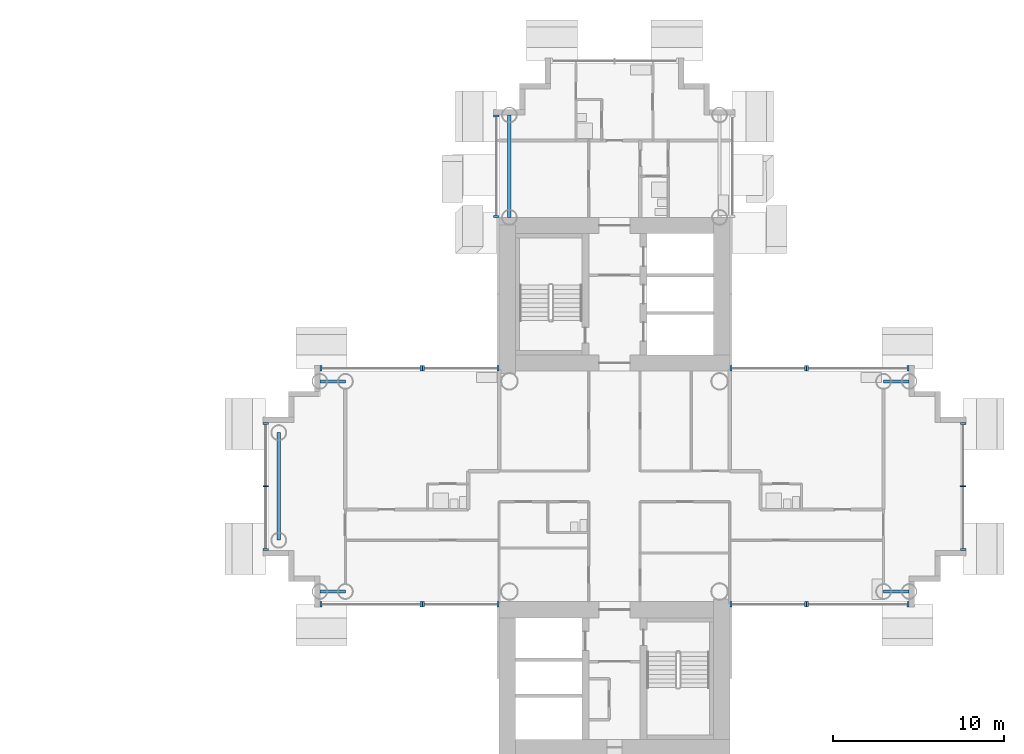
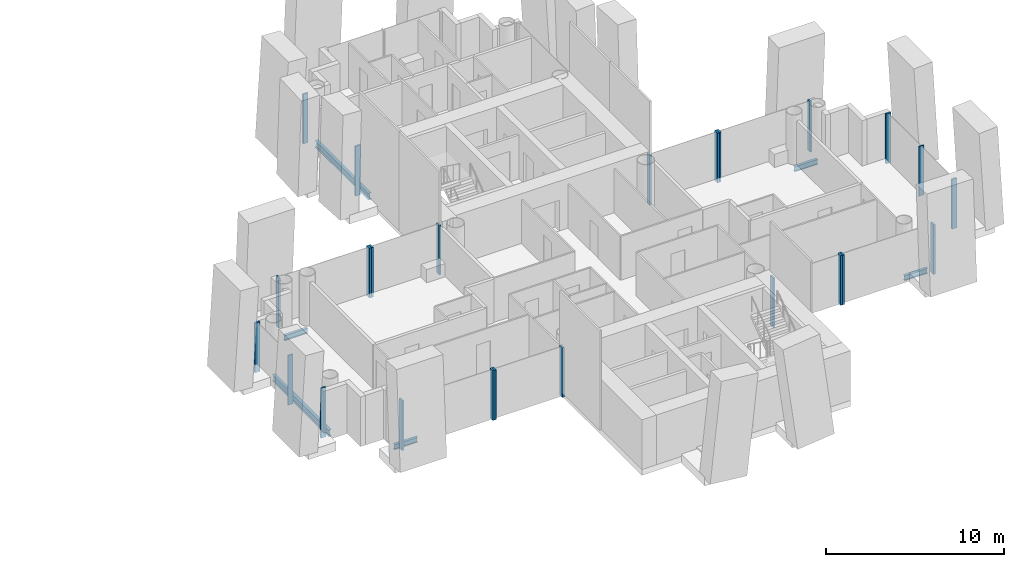
# One storey, part 5 of 21: 24 members, 6 beams, 11 elements without a shape of their own.
"""IFC4 building model written with IfcOpenShell, lengths in metres."""

from ifc_helpers import new_model, si_unit, direction, frame, origin, origin_2d, place, context, subcontext, project, spatial, rectangle, i_section, extrude, material, layer, layer_set, material_profile, profile_set, type_object, element, aggregate, save


model = new_model("IFC4")

# Units and contexts
model_context = context("Model", 3, precision=1e-05, world=origin(), true_north=direction((0.0, 1.0)))
body_context = subcontext(model_context, "Body", "Model", "MODEL_VIEW")
ifc_project = project(units=[si_unit("LENGTHUNIT", "METRE"), si_unit("AREAUNIT", "SQUARE_METRE"), si_unit("VOLUMEUNIT", "CUBIC_METRE"), si_unit("PLANEANGLEUNIT", "RADIAN"), si_unit("MASSUNIT", "GRAM", prefix="KILO")], contexts=[model_context])

# Site, building, storey
site_placement = place(None, origin())
site = spatial("IfcSite", under=ifc_project, at=site_placement, CompositionType="ELEMENT")
building_placement = place(site_placement, origin())
building = spatial("IfcBuilding", under=site, at=building_placement, Name="Ipe Terrace Towers", CompositionType="ELEMENT")
storey_placement = place(building_placement, frame((0.0, 0.0, 80.0)))
storey = spatial("IfcBuildingStorey", under=building, at=storey_placement, Name="L21", CompositionType="ELEMENT", Elevation=80.0)

# Beams
ifc_material_1 = material(Name="Steel S355", Category="steel")
ifc_material_profile_1 = material_profile(ifc_material_1, i_section(OverallWidth=0.175048828125, OverallDepth=0.35009765625, WebThickness=0.007080078125, FlangeThickness=0.010986328125, at=origin_2d()), Name="H-350x175x7x11")
ifc_profile_set_1 = profile_set([ifc_material_profile_1], Name="Steel S355")
beam_type_1 = type_object("IfcBeamType", Name="H04 EDGE BEAM H-350x175x7x11", PredefinedType="BEAM", material=ifc_profile_set_1)
for number, where, z_axis, x_axis, name in (
    (1, (20.25, 6.14990234375, -0.574951171875), (-1.0, 0.0, 0.0), (0.0, -1.0, 0.0), "Edge beam T2-EB-B03-B05"),
    (2, (20.25, -6.14990234375, -0.574951171875), (-1.0, 0.0, 0.0), (0.0, -1.0, 0.0), "Edge beam T2-EB-B04-B06"),
    (3, (51.75, -6.14990234375, -0.574951171875), (1.0, 0.0, 0.0), (0.0, 1.0, 0.0), "Edge beam T2-EB-D03-D05"),
    (4, (51.75, 6.14990234375, -0.574951171875), (1.0, 0.0, 0.0), (0.0, 1.0, 0.0), "Edge beam T2-EB-D04-D06"),
):
    element("IfcBeam", number, at=place(storey_placement, frame(where, z_axis=z_axis, x_axis=x_axis)), inside=storey, type_object=beam_type_1, Name=name, PredefinedType="BEAM", context=body_context, shape_type="SweptSolid", body=[
        extrude(i_section(OverallWidth=0.175048828125, OverallDepth=0.35009765625, WebThickness=0.007080078125, FlangeThickness=0.010986328125, at=origin_2d()), origin(), (0.0, 0.0, 1.0), 1.5),
    ])
ifc_material_2 = material(Name="Steel S355", Category="steel")
ifc_material_profile_2 = material_profile(ifc_material_2, i_section(OverallWidth=0.199951171875, OverallDepth=0.449951171875, WebThickness=0.009033203125, FlangeThickness=0.013916015625, at=origin_2d()), Name="H-450x200x9x14")
ifc_profile_set_2 = profile_set([ifc_material_profile_2], Name="Steel S355")
beam_type_2 = type_object("IfcBeamType", Name="H08 EDGE BEAM H-450x200x9x14", PredefinedType="BEAM", material=ifc_profile_set_2)
beam_1_placement = place(storey_placement, frame((29.85009765625, 15.75, -0.625), z_axis=(0.0, 1.0, 0.0), x_axis=(-1.0, 0.0, 0.0)))
element("IfcBeam", 5, at=beam_1_placement, inside=storey, type_object=beam_type_2, Name="Edge beam T2-EB-A02-A04", PredefinedType="BEAM", context=body_context, shape_type="SweptSolid", body=[
    extrude(i_section(OverallWidth=0.199951171875, OverallDepth=0.449951171875, WebThickness=0.009033203125, FlangeThickness=0.013916015625, at=origin_2d()), origin(), (0.0, 0.0, 1.0), 6.0),
])
beam_2_placement = place(storey_placement, frame((16.35009765625, 3.14990234375, -0.625), z_axis=(0.0, -1.0, 0.0), x_axis=(1.0, 0.0, 0.0)))
element("IfcBeam", 6, at=beam_2_placement, inside=storey, type_object=beam_type_2, Name="Edge beam T2-EB-B07-B08", PredefinedType="BEAM", context=body_context, shape_type="SweptSolid", body=[
    extrude(i_section(OverallWidth=0.199951171875, OverallDepth=0.449951171875, WebThickness=0.009033203125, FlangeThickness=0.013916015625, at=origin_2d()), origin(), (0.0, 0.0, 1.0), 6.2998046875),
])

# Curtain wall, members
ifc_material_3 = material(Name="Aluminium alloy 6063-T6", Category="aluminium")
ifc_layer = layer(ifc_material_3, 0.320068359375)
ifc_layer_set = layer_set([ifc_layer], Name="TOWER UNITISED CURTAIN WALL")
curtain_wall_type = type_object("IfcCurtainWallType", Name="TOWER UNITISED CURTAIN WALL", PredefinedType="NOTDEFINED", material=ifc_layer_set)
curtain_wall_1_placement = place(storey_placement, origin())
curtain_wall_1 = element("IfcCurtainWall", 7, at=curtain_wall_1_placement, inside=storey, type_object=curtain_wall_type, Name="T2-CW-L21-02a curtain wall", PredefinedType="NOTDEFINED")
ifc_material_4 = material(Name="Aluminium alloy 6063-T6", Category="aluminium")
ifc_material_profile_3 = material_profile(ifc_material_4, rectangle(XDim=0.320068359375, YDim=0.1201171875, at=origin_2d()), Name="TOWER UNITISED CORNER MULLION 320 x 120")
ifc_profile_set_3 = profile_set([ifc_material_profile_3], Name="Aluminium alloy 6063-T6")
member_type_1 = type_object("IfcMemberType", Name="TOWER UNITISED CORNER MULLION 320 x 120", PredefinedType="MULLION", material=ifc_profile_set_3)
member_1_placement = place(storey_placement, frame((42.81005859375, -6.909912109375, -0.300048828125), z_axis=(0.0, 0.0, 1.0), x_axis=(0.0, -1.0, 0.0)))
member_1 = element("IfcMember", 8, at=member_1_placement, type_object=member_type_1, Name="T2-CW-L21-02a mullion 1", PredefinedType="MULLION", context=body_context, shape_type="SweptSolid", body=[
    extrude(rectangle(XDim=0.320068359375, YDim=0.1201171875, at=origin_2d()), origin(), (0.0, 0.0, 1.0), 3.400146484375),
])
member_2_placement = place(storey_placement, frame((47.18994140625, -6.909912109375, -0.300048828125), z_axis=(0.0, 0.0, 1.0), x_axis=(0.0, -1.0, 0.0)))
member_2 = element("IfcMember", 9, at=member_2_placement, type_object=member_type_1, Name="T2-CW-L21-02a mullion 2", PredefinedType="MULLION", context=body_context, shape_type="SweptSolid", body=[
    extrude(rectangle(XDim=0.320068359375, YDim=0.1201171875, at=origin_2d()), origin(), (0.0, 0.0, 1.0), 3.400146484375),
])
aggregate(curtain_wall_1, [member_1, member_2])

curtain_wall_2_placement = place(storey_placement, origin())
curtain_wall_2 = element("IfcCurtainWall", 10, at=curtain_wall_2_placement, inside=storey, type_object=curtain_wall_type, Name="T2-CW-L21-03a curtain wall", PredefinedType="NOTDEFINED")
member_3_placement = place(storey_placement, frame((47.31005859375, -6.909912109375, -0.300048828125), z_axis=(0.0, 0.0, 1.0), x_axis=(0.0, -1.0, 0.0)))
member_3 = element("IfcMember", 11, at=member_3_placement, type_object=member_type_1, Name="T2-CW-L21-03a mullion 1", PredefinedType="MULLION", context=body_context, shape_type="SweptSolid", body=[
    extrude(rectangle(XDim=0.320068359375, YDim=0.1201171875, at=origin_2d()), origin(), (0.0, 0.0, 1.0), 3.400146484375),
])
member_4_placement = place(storey_placement, frame((53.18994140625, -6.909912109375, -0.300048828125), z_axis=(0.0, 0.0, 1.0), x_axis=(0.0, -1.0, 0.0)))
member_4 = element("IfcMember", 12, at=member_4_placement, type_object=member_type_1, Name="T2-CW-L21-03a mullion 2", PredefinedType="MULLION", context=body_context, shape_type="SweptSolid", body=[
    extrude(rectangle(XDim=0.320068359375, YDim=0.1201171875, at=origin_2d()), origin(), (0.0, 0.0, 1.0), 3.400146484375),
])
aggregate(curtain_wall_2, [member_3, member_4])

curtain_wall_3_placement = place(storey_placement, origin())
curtain_wall_3 = element("IfcCurtainWall", 13, at=curtain_wall_3_placement, inside=storey, type_object=curtain_wall_type, Name="T2-CW-L21-08a curtain wall", PredefinedType="NOTDEFINED")
member_5_placement = place(storey_placement, frame((56.409912109375, -3.68994140625, -0.300048828125), z_axis=(0.0, 0.0, 1.0), x_axis=(1.0, 0.0, 0.0)))
member_5 = element("IfcMember", 14, at=member_5_placement, type_object=member_type_1, Name="T2-CW-L21-08a mullion 1", PredefinedType="MULLION", context=body_context, shape_type="SweptSolid", body=[
    extrude(rectangle(XDim=0.320068359375, YDim=0.1201171875, at=origin_2d()), origin(), (0.0, 0.0, 1.0), 3.400146484375),
])
member_6_placement = place(storey_placement, frame((56.409912109375, 3.68994140625, -0.300048828125), z_axis=(0.0, 0.0, 1.0), x_axis=(1.0, 0.0, 0.0)))
member_6 = element("IfcMember", 15, at=member_6_placement, type_object=member_type_1, Name="T2-CW-L21-08a mullion 3", PredefinedType="MULLION", context=body_context, shape_type="SweptSolid", body=[
    extrude(rectangle(XDim=0.320068359375, YDim=0.1201171875, at=origin_2d()), origin(), (0.0, 0.0, 1.0), 3.400146484375),
])

curtain_wall_4_placement = place(storey_placement, origin())
curtain_wall_4 = element("IfcCurtainWall", 16, at=curtain_wall_4_placement, inside=storey, type_object=curtain_wall_type, Name="T2-CW-L21-13a curtain wall", PredefinedType="NOTDEFINED")
member_7_placement = place(storey_placement, frame((53.18994140625, 6.909912109375, -0.300048828125), z_axis=(0.0, 0.0, 1.0), x_axis=(0.0, 1.0, 0.0)))
member_7 = element("IfcMember", 17, at=member_7_placement, type_object=member_type_1, Name="T2-CW-L21-13a mullion 1", PredefinedType="MULLION", context=body_context, shape_type="SweptSolid", body=[
    extrude(rectangle(XDim=0.320068359375, YDim=0.1201171875, at=origin_2d()), origin(), (0.0, 0.0, 1.0), 3.400146484375),
])
member_8_placement = place(storey_placement, frame((47.31005859375, 6.909912109375, -0.300048828125), z_axis=(0.0, 0.0, 1.0), x_axis=(0.0, 1.0, 0.0)))
member_8 = element("IfcMember", 18, at=member_8_placement, type_object=member_type_1, Name="T2-CW-L21-13a mullion 2", PredefinedType="MULLION", context=body_context, shape_type="SweptSolid", body=[
    extrude(rectangle(XDim=0.320068359375, YDim=0.1201171875, at=origin_2d()), origin(), (0.0, 0.0, 1.0), 3.400146484375),
])
aggregate(curtain_wall_4, [member_7, member_8])

curtain_wall_5_placement = place(storey_placement, origin())
curtain_wall_5 = element("IfcCurtainWall", 19, at=curtain_wall_5_placement, inside=storey, type_object=curtain_wall_type, Name="T2-CW-L21-14a curtain wall", PredefinedType="NOTDEFINED")
member_9_placement = place(storey_placement, frame((47.18994140625, 6.909912109375, -0.300048828125), z_axis=(0.0, 0.0, 1.0), x_axis=(0.0, 1.0, 0.0)))
member_9 = element("IfcMember", 20, at=member_9_placement, type_object=member_type_1, Name="T2-CW-L21-14a mullion 1", PredefinedType="MULLION", context=body_context, shape_type="SweptSolid", body=[
    extrude(rectangle(XDim=0.320068359375, YDim=0.1201171875, at=origin_2d()), origin(), (0.0, 0.0, 1.0), 3.400146484375),
])
member_10_placement = place(storey_placement, frame((42.81005859375, 6.909912109375, -0.300048828125), z_axis=(0.0, 0.0, 1.0), x_axis=(0.0, 1.0, 0.0)))
member_10 = element("IfcMember", 21, at=member_10_placement, type_object=member_type_1, Name="T2-CW-L21-14a mullion 2", PredefinedType="MULLION", context=body_context, shape_type="SweptSolid", body=[
    extrude(rectangle(XDim=0.320068359375, YDim=0.1201171875, at=origin_2d()), origin(), (0.0, 0.0, 1.0), 3.400146484375),
])
aggregate(curtain_wall_5, [member_9, member_10])

curtain_wall_6_placement = place(storey_placement, origin())
curtain_wall_6 = element("IfcCurtainWall", 22, at=curtain_wall_6_placement, inside=storey, type_object=curtain_wall_type, Name="T2-CW-L21-26a curtain wall", PredefinedType="NOTDEFINED")
member_11_placement = place(storey_placement, frame((29.090087890625, 21.68994140625, -0.300048828125), z_axis=(0.0, 0.0, 1.0), x_axis=(-1.0, 0.0, 0.0)))
member_11 = element("IfcMember", 23, at=member_11_placement, type_object=member_type_1, Name="T2-CW-L21-26a mullion 1", PredefinedType="MULLION", context=body_context, shape_type="SweptSolid", body=[
    extrude(rectangle(XDim=0.320068359375, YDim=0.1201171875, at=origin_2d()), origin(), (0.0, 0.0, 1.0), 3.400146484375),
])
member_12_placement = place(storey_placement, frame((29.090087890625, 15.81103515625, -0.300048828125), z_axis=(0.0, 0.0, 1.0), x_axis=(-1.0, 0.0, 0.0)))
member_12 = element("IfcMember", 24, at=member_12_placement, type_object=member_type_1, Name="T2-CW-L21-26a mullion 2", PredefinedType="MULLION", context=body_context, shape_type="SweptSolid", body=[
    extrude(rectangle(XDim=0.320068359375, YDim=0.1201171875, at=origin_2d()), origin(), (0.0, 0.0, 1.0), 3.400146484375),
])
aggregate(curtain_wall_6, [member_11, member_12])

curtain_wall_7_placement = place(storey_placement, origin())
curtain_wall_7 = element("IfcCurtainWall", 25, at=curtain_wall_7_placement, inside=storey, type_object=curtain_wall_type, Name="T2-CW-L21-28a curtain wall", PredefinedType="NOTDEFINED")
member_13_placement = place(storey_placement, frame((29.18994140625, 6.909912109375, -0.300048828125), z_axis=(0.0, 0.0, 1.0), x_axis=(0.0, 1.0, 0.0)))
member_13 = element("IfcMember", 26, at=member_13_placement, type_object=member_type_1, Name="T2-CW-L21-28a mullion 1", PredefinedType="MULLION", context=body_context, shape_type="SweptSolid", body=[
    extrude(rectangle(XDim=0.320068359375, YDim=0.1201171875, at=origin_2d()), origin(), (0.0, 0.0, 1.0), 3.400146484375),
])
member_14_placement = place(storey_placement, frame((24.81005859375, 6.909912109375, -0.300048828125), z_axis=(0.0, 0.0, 1.0), x_axis=(0.0, 1.0, 0.0)))
member_14 = element("IfcMember", 27, at=member_14_placement, type_object=member_type_1, Name="T2-CW-L21-28a mullion 2", PredefinedType="MULLION", context=body_context, shape_type="SweptSolid", body=[
    extrude(rectangle(XDim=0.320068359375, YDim=0.1201171875, at=origin_2d()), origin(), (0.0, 0.0, 1.0), 3.400146484375),
])
aggregate(curtain_wall_7, [member_13, member_14])

curtain_wall_8_placement = place(storey_placement, origin())
curtain_wall_8 = element("IfcCurtainWall", 28, at=curtain_wall_8_placement, inside=storey, type_object=curtain_wall_type, Name="T2-CW-L21-29a curtain wall", PredefinedType="NOTDEFINED")
member_15_placement = place(storey_placement, frame((24.68994140625, 6.909912109375, -0.300048828125), z_axis=(0.0, 0.0, 1.0), x_axis=(0.0, 1.0, 0.0)))
member_15 = element("IfcMember", 29, at=member_15_placement, type_object=member_type_1, Name="T2-CW-L21-29a mullion 1", PredefinedType="MULLION", context=body_context, shape_type="SweptSolid", body=[
    extrude(rectangle(XDim=0.320068359375, YDim=0.1201171875, at=origin_2d()), origin(), (0.0, 0.0, 1.0), 3.400146484375),
])
member_16_placement = place(storey_placement, frame((18.81005859375, 6.909912109375, -0.300048828125), z_axis=(0.0, 0.0, 1.0), x_axis=(0.0, 1.0, 0.0)))
member_16 = element("IfcMember", 30, at=member_16_placement, type_object=member_type_1, Name="T2-CW-L21-29a mullion 2", PredefinedType="MULLION", context=body_context, shape_type="SweptSolid", body=[
    extrude(rectangle(XDim=0.320068359375, YDim=0.1201171875, at=origin_2d()), origin(), (0.0, 0.0, 1.0), 3.400146484375),
])
aggregate(curtain_wall_8, [member_15, member_16])

curtain_wall_9_placement = place(storey_placement, origin())
curtain_wall_9 = element("IfcCurtainWall", 31, at=curtain_wall_9_placement, inside=storey, type_object=curtain_wall_type, Name="T2-CW-L21-34a curtain wall", PredefinedType="NOTDEFINED")
member_17_placement = place(storey_placement, frame((15.590087890625, 3.68994140625, -0.300048828125), z_axis=(0.0, 0.0, 1.0), x_axis=(-1.0, 0.0, 0.0)))
member_17 = element("IfcMember", 32, at=member_17_placement, type_object=member_type_1, Name="T2-CW-L21-34a mullion 1", PredefinedType="MULLION", context=body_context, shape_type="SweptSolid", body=[
    extrude(rectangle(XDim=0.320068359375, YDim=0.1201171875, at=origin_2d()), origin(), (0.0, 0.0, 1.0), 3.400146484375),
])
member_18_placement = place(storey_placement, frame((15.590087890625, -3.68994140625, -0.300048828125), z_axis=(0.0, 0.0, 1.0), x_axis=(-1.0, 0.0, 0.0)))
member_18 = element("IfcMember", 33, at=member_18_placement, type_object=member_type_1, Name="T2-CW-L21-34a mullion 3", PredefinedType="MULLION", context=body_context, shape_type="SweptSolid", body=[
    extrude(rectangle(XDim=0.320068359375, YDim=0.1201171875, at=origin_2d()), origin(), (0.0, 0.0, 1.0), 3.400146484375),
])

curtain_wall_10_placement = place(storey_placement, origin())
curtain_wall_10 = element("IfcCurtainWall", 34, at=curtain_wall_10_placement, inside=storey, type_object=curtain_wall_type, Name="T2-CW-L21-39a curtain wall", PredefinedType="NOTDEFINED")
member_19_placement = place(storey_placement, frame((18.81005859375, -6.909912109375, -0.300048828125), z_axis=(0.0, 0.0, 1.0), x_axis=(0.0, -1.0, 0.0)))
member_19 = element("IfcMember", 35, at=member_19_placement, type_object=member_type_1, Name="T2-CW-L21-39a mullion 1", PredefinedType="MULLION", context=body_context, shape_type="SweptSolid", body=[
    extrude(rectangle(XDim=0.320068359375, YDim=0.1201171875, at=origin_2d()), origin(), (0.0, 0.0, 1.0), 3.400146484375),
])
member_20_placement = place(storey_placement, frame((24.68994140625, -6.909912109375, -0.300048828125), z_axis=(0.0, 0.0, 1.0), x_axis=(0.0, -1.0, 0.0)))
member_20 = element("IfcMember", 36, at=member_20_placement, type_object=member_type_1, Name="T2-CW-L21-39a mullion 2", PredefinedType="MULLION", context=body_context, shape_type="SweptSolid", body=[
    extrude(rectangle(XDim=0.320068359375, YDim=0.1201171875, at=origin_2d()), origin(), (0.0, 0.0, 1.0), 3.400146484375),
])
aggregate(curtain_wall_10, [member_19, member_20])

curtain_wall_11_placement = place(storey_placement, origin())
curtain_wall_11 = element("IfcCurtainWall", 37, at=curtain_wall_11_placement, inside=storey, type_object=curtain_wall_type, Name="T2-CW-L21-40a curtain wall", PredefinedType="NOTDEFINED")
member_21_placement = place(storey_placement, frame((24.81005859375, -6.909912109375, -0.300048828125), z_axis=(0.0, 0.0, 1.0), x_axis=(0.0, -1.0, 0.0)))
member_21 = element("IfcMember", 38, at=member_21_placement, type_object=member_type_1, Name="T2-CW-L21-40a mullion 1", PredefinedType="MULLION", context=body_context, shape_type="SweptSolid", body=[
    extrude(rectangle(XDim=0.320068359375, YDim=0.1201171875, at=origin_2d()), origin(), (0.0, 0.0, 1.0), 3.400146484375),
])
member_22_placement = place(storey_placement, frame((29.18994140625, -6.909912109375, -0.300048828125), z_axis=(0.0, 0.0, 1.0), x_axis=(0.0, -1.0, 0.0)))
member_22 = element("IfcMember", 39, at=member_22_placement, type_object=member_type_1, Name="T2-CW-L21-40a mullion 2", PredefinedType="MULLION", context=body_context, shape_type="SweptSolid", body=[
    extrude(rectangle(XDim=0.320068359375, YDim=0.1201171875, at=origin_2d()), origin(), (0.0, 0.0, 1.0), 3.400146484375),
])
aggregate(curtain_wall_11, [member_21, member_22])

# Member
ifc_material_5 = material(Name="Aluminium alloy 6063-T6", Category="aluminium")
ifc_material_profile_4 = material_profile(ifc_material_5, rectangle(XDim=0.320068359375, YDim=0.06494140625, at=origin_2d()), Name="TOWER UNITISED MULLION 320 x 65")
ifc_profile_set_4 = profile_set([ifc_material_profile_4], Name="Aluminium alloy 6063-T6")
member_type_2 = type_object("IfcMemberType", Name="TOWER UNITISED MULLION 320 x 65", PredefinedType="MULLION", material=ifc_profile_set_4)
member_23_placement = place(storey_placement, frame((56.409912109375, 0.0, -0.300048828125), z_axis=(0.0, 0.0, 1.0), x_axis=(1.0, 0.0, 0.0)))
member_23 = element("IfcMember", 40, at=member_23_placement, type_object=member_type_2, Name="T2-CW-L21-08a mullion 2", PredefinedType="MULLION", context=body_context, shape_type="SweptSolid", body=[
    extrude(rectangle(XDim=0.320068359375, YDim=0.06494140625, at=origin_2d()), origin(), (0.0, 0.0, 1.0), 3.400146484375),
])

aggregate(curtain_wall_3, [member_5, member_23, member_6])

member_24_placement = place(storey_placement, frame((15.590087890625, 0.0, -0.300048828125), z_axis=(0.0, 0.0, 1.0), x_axis=(-1.0, 0.0, 0.0)))
member_24 = element("IfcMember", 41, at=member_24_placement, type_object=member_type_2, Name="T2-CW-L21-34a mullion 2", PredefinedType="MULLION", context=body_context, shape_type="SweptSolid", body=[
    extrude(rectangle(XDim=0.320068359375, YDim=0.06494140625, at=origin_2d()), origin(), (0.0, 0.0, 1.0), 3.400146484375),
])

aggregate(curtain_wall_9, [member_17, member_24, member_18])

save(model, "model.ifc")
